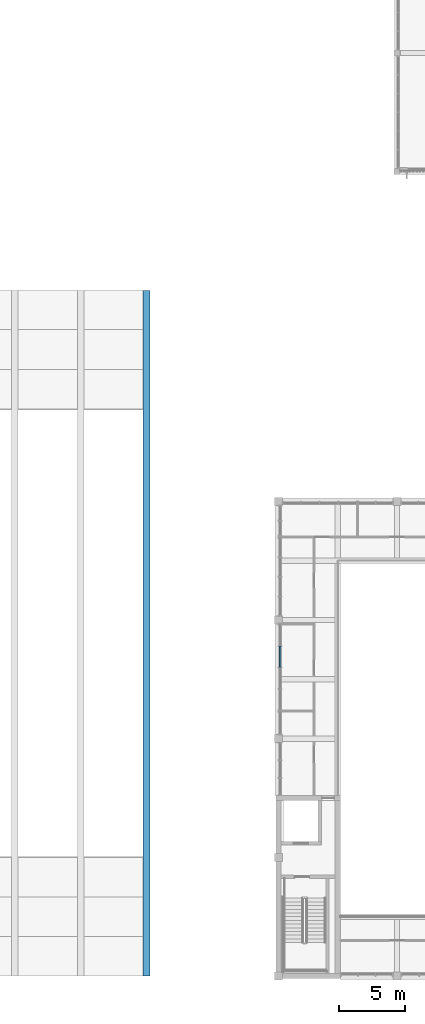
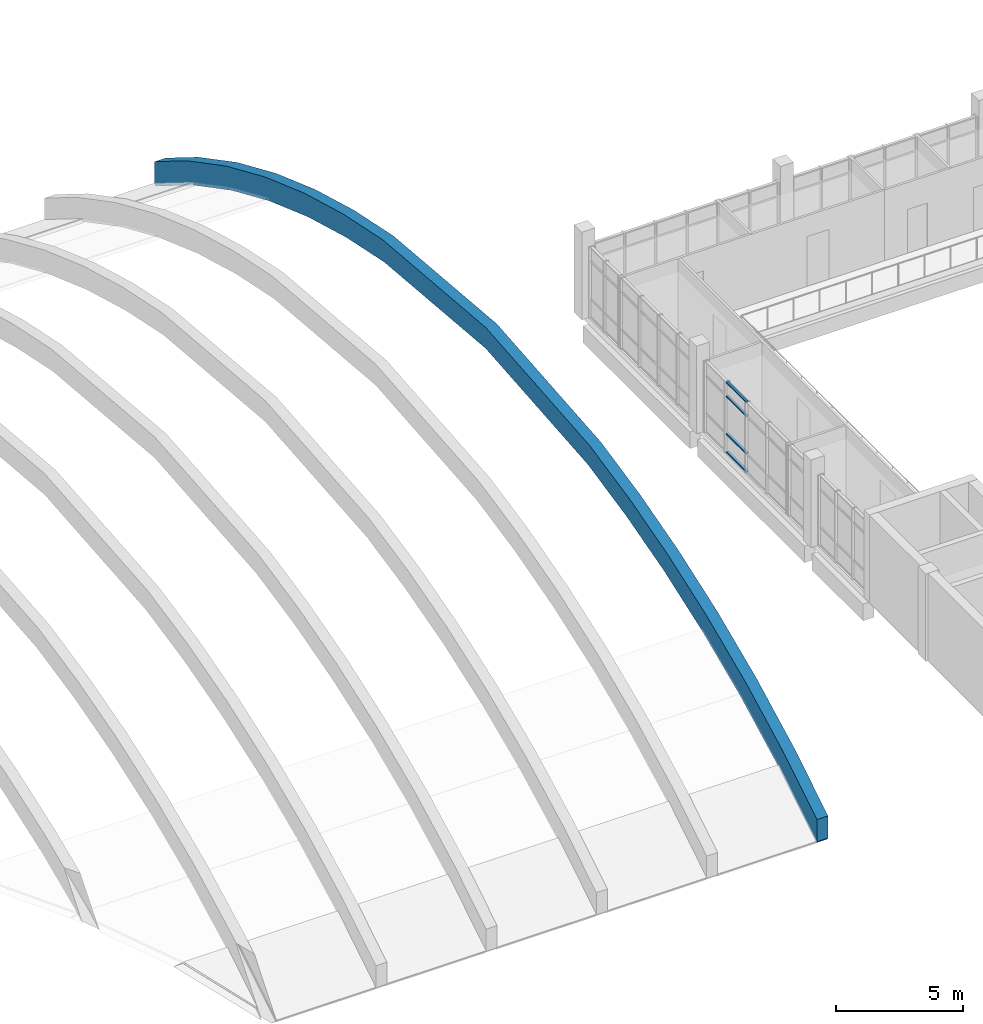
# One storey, part 6 of 88: 4 members, 1 beam, 1 element without a shape of its own.
"""IFC4 building model written with IfcOpenShell, lengths in metres."""

from ifc_helpers import new_model, si_unit, direction, frame, origin, origin_2d, place, context, subcontext, project, spatial, polyline, rectangle, outline, extrude, material, material_profile, profile_set, type_object, element, aggregate, save


model = new_model("IFC4")

# Units and contexts
model_context = context("Model", 3, precision=1e-05, world=origin(), true_north=direction((0.0, 1.0)))
body_context = subcontext(model_context, "Body", "Model", "MODEL_VIEW")
ifc_project = project(units=[si_unit("LENGTHUNIT", "METRE"), si_unit("AREAUNIT", "SQUARE_METRE"), si_unit("VOLUMEUNIT", "CUBIC_METRE"), si_unit("PLANEANGLEUNIT", "RADIAN"), si_unit("MASSUNIT", "GRAM", prefix="KILO")], contexts=[model_context])

# Site, building, storey
site_placement = place(None, origin())
site = spatial("IfcSite", under=ifc_project, at=site_placement, CompositionType="ELEMENT")
building_placement = place(site_placement, origin())
building = spatial("IfcBuilding", under=site, at=building_placement, Name="Merrow Basin Faculty of Sciences", CompositionType="ELEMENT")
storey_placement = place(building_placement, frame((0.0, 0.0, 9.0)))
storey = spatial("IfcBuildingStorey", under=building, at=storey_placement, Name="L02", CompositionType="ELEMENT", Elevation=9.0)

# Curtain wall, members
ifc_material_1 = material(Name="Aluminium alloy 6063", Category="aluminium")
curtain_wall_type = type_object("IfcCurtainWallType", Name="Atrium unitised curtain wall 240", PredefinedType="NOTDEFINED", material=ifc_material_1)
curtain_wall_placement = place(storey_placement, origin())
curtain_wall = element("IfcCurtainWall", 1, at=curtain_wall_placement, inside=storey, type_object=curtain_wall_type, Name="W curtain wall L02 3", PredefinedType="NOTDEFINED")
ifc_material_2 = material(Name="Aluminium alloy 6063", Category="aluminium")
ifc_material_profile = material_profile(ifc_material_2, rectangle(XDim=0.1201171875, YDim=0.06005859375, at=origin_2d()))
ifc_profile_set = profile_set([ifc_material_profile], Name="Aluminium alloy 6063")
member_type = type_object("IfcMemberType", Name="Aluminium transom 60x120", PredefinedType="USERDEFINED", material=ifc_profile_set)
member_1_placement = place(storey_placement, frame((45.1201171875, 23.429931640625, 0.030029296875), z_axis=(0.0, 1.0, 0.0), x_axis=(-1.0, 0.0, 0.0)))
member_1 = element("IfcMember", 2, at=member_1_placement, type_object=member_type, Name="CW5 transom 3.1", ObjectType="TRANSOM", PredefinedType="USERDEFINED", context=body_context, shape_type="SweptSolid", body=[
    extrude(rectangle(XDim=0.1201171875, YDim=0.06005859375, at=origin_2d()), origin(), (0.0, 0.0, 1.0), 1.565185546875),
])
member_2_placement = place(storey_placement, frame((45.1201171875, 23.429931640625, 0.89990234375), z_axis=(0.0, 1.0, 0.0), x_axis=(-1.0, 0.0, 0.0)))
member_2 = element("IfcMember", 3, at=member_2_placement, type_object=member_type, Name="CW5 transom 3.2", ObjectType="TRANSOM", PredefinedType="USERDEFINED", context=body_context, shape_type="SweptSolid", body=[
    extrude(rectangle(XDim=0.1201171875, YDim=0.06005859375, at=origin_2d()), origin(), (0.0, 0.0, 1.0), 1.565185546875),
])
member_3_placement = place(storey_placement, frame((45.1201171875, 23.429931640625, 2.699951171875), z_axis=(0.0, 1.0, 0.0), x_axis=(-1.0, 0.0, 0.0)))
member_3 = element("IfcMember", 4, at=member_3_placement, type_object=member_type, Name="CW5 transom 3.3", ObjectType="TRANSOM", PredefinedType="USERDEFINED", context=body_context, shape_type="SweptSolid", body=[
    extrude(rectangle(XDim=0.1201171875, YDim=0.06005859375, at=origin_2d()), origin(), (0.0, 0.0, 1.0), 1.565185546875),
])
member_4_placement = place(storey_placement, frame((45.1201171875, 23.429931640625, 3.3701171875), z_axis=(0.0, 1.0, 0.0), x_axis=(-1.0, 0.0, 0.0)))
member_4 = element("IfcMember", 5, at=member_4_placement, type_object=member_type, Name="CW5 transom 3.4", ObjectType="TRANSOM", PredefinedType="USERDEFINED", context=body_context, shape_type="SweptSolid", body=[
    extrude(rectangle(XDim=0.1201171875, YDim=0.06005859375, at=origin_2d()), origin(), (0.0, 0.0, 1.0), 1.565185546875),
])
aggregate(curtain_wall, [member_1, member_2, member_3, member_4])

# Beam
ifc_material_3 = material(Name="Concrete C50/60", Category="concrete")
beam_type = type_object("IfcBeamType", Name="Arch rib 500 Concrete C50/60", PredefinedType="BEAM", material=ifc_material_3)
beam_placement = place(storey_placement, frame((34.75, 0.0, -9.0), z_axis=(1.0, 0.0, 0.0), x_axis=(0.0, 1.0, 0.0)))
element("IfcBeam", 6, at=beam_placement, inside=storey, type_object=beam_type, Name="Arch rib R", PredefinedType="BEAM", context=body_context, shape_type="SweptSolid", body=[
    extrude(outline(polyline([(2.552978515625, 11.77587890625), (5.611083984375, 13.376953125), (8.669921875, 14.70703125), (11.72802734375, 15.7919921875), (14.785888671875, 16.64794921875), (17.867919921875, 17.29296875), (26.0, 18.0), (34.132080078125, 17.29296875), (37.214111328125, 16.64794921875), (40.27197265625, 15.7919921875), (43.330078125, 14.70703125), (46.388916015625, 13.376953125), (49.447021484375, 11.77587890625), (52.0, 10.18701171875), (52.0, 9.126953125), (51.947021484375, 9.0419921875), (48.949951171875, 10.907958984375), (45.95703125, 12.47412109375), (42.962890625, 13.777099609375), (39.969970703125, 14.837890625), (36.97607421875, 15.676025390625), (33.985107421875, 16.302001953125), (26.0, 16.99609375), (18.014892578125, 16.302001953125), (15.02392578125, 15.676025390625), (12.030029296875, 14.837890625), (9.037109375, 13.777099609375), (6.04296875, 12.47412109375), (3.050048828125, 10.907958984375), (0.052978515625, 9.0419921875), (0.0, 9.126953125), (0.0, 10.18701171875), (2.552978515625, 11.77587890625)])), origin(), (0.0, 0.0, 1.0), 0.5),
])

save(model, "model.ifc")
